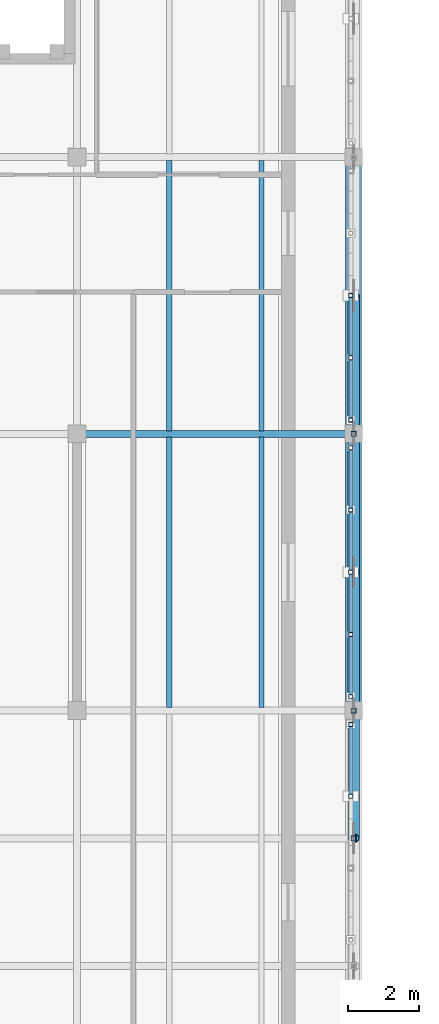
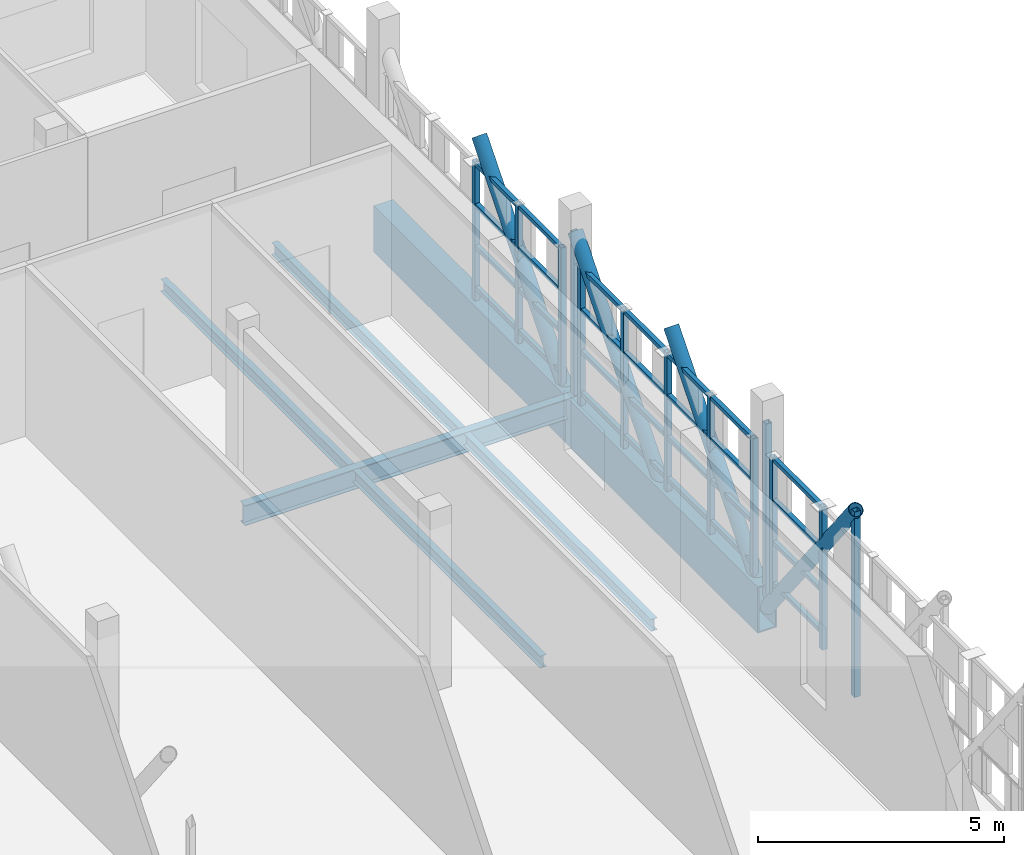
# One storey, part 30 of 89: 45 members, 7 beams.
"""IFC4 building model written with IfcOpenShell, lengths in metres."""

from ifc_helpers import new_model, si_unit, direction, frame, origin, origin_2d, place, context, subcontext, project, spatial, hollow_rectangle, hollow_circle, i_section, extrude, material, material_profile, profile_set, type_object, element, save


model = new_model("IFC4")

# Units and contexts
model_context = context("Model", 3, precision=1e-05, world=origin(), true_north=direction((0.0, 1.0)))
body_context = subcontext(model_context, "Body", "Model", "MODEL_VIEW")
ifc_project = project(units=[si_unit("LENGTHUNIT", "METRE"), si_unit("AREAUNIT", "SQUARE_METRE"), si_unit("VOLUMEUNIT", "CUBIC_METRE"), si_unit("PLANEANGLEUNIT", "RADIAN"), si_unit("MASSUNIT", "GRAM", prefix="KILO")], contexts=[model_context])

# Site, building, storey
site_placement = place(None, origin())
site = spatial("IfcSite", under=ifc_project, at=site_placement, CompositionType="ELEMENT")
building_placement = place(site_placement, origin())
building = spatial("IfcBuilding", under=site, at=building_placement, Name="Celorna Specialist Clinic", CompositionType="ELEMENT")
storey_placement = place(building_placement, frame((0.0, 0.0, 14.10009765625)))
storey = spatial("IfcBuildingStorey", under=building, at=storey_placement, Name="L03", CompositionType="ELEMENT", Elevation=14.10009765625)

# Beams
ifc_material = material(Name="Steel S355", Category="steel")
ifc_material_profile_1 = material_profile(ifc_material, hollow_rectangle(XDim=0.449951171875, YDim=1.14990234375, WallThickness=0.031982421875, at=origin_2d()), Name="BOX 450x1150x32")
ifc_profile_set_1 = profile_set([ifc_material_profile_1], Name="Steel S355")
beam_type_1 = type_object("IfcBeamType", Name="BM-01", PredefinedType="BEAM", material=ifc_profile_set_1)
for number, where, z_axis, x_axis, name in (
    (1, (85.800048828125, 19.5, -0.835205078125), (0.0, 1.0, 0.0), (-1.0, 0.0, 0.0), "Cantilever Pratt truss chord WP-071-WP-072"),
    (2, (85.800048828125, 27.300048828125, -0.835205078125), (0.0, 1.0, 0.0), (-1.0, 0.0, 0.0), "Cantilever Pratt truss chord WP-072-WP-073"),
):
    element("IfcBeam", number, at=place(storey_placement, frame(where, z_axis=z_axis, x_axis=x_axis)), inside=storey, type_object=beam_type_1, Name=name, PredefinedType="BEAM", context=body_context, shape_type="SweptSolid", body=[
        extrude(hollow_rectangle(XDim=0.449951171875, YDim=1.14990234375, WallThickness=0.031982421875, at=origin_2d()), origin(), (0.0, 0.0, 1.0), 7.800048828125),
    ])
ifc_material_profile_2 = material_profile(ifc_material, i_section(OverallWidth=0.199951171875, OverallDepth=0.5, WebThickness=0.01025390625, FlangeThickness=0.01611328125, at=origin_2d()), Name="IPE 500")
ifc_profile_set_2 = profile_set([ifc_material_profile_2], Name="Steel S355")
beam_type_2 = type_object("IfcBeamType", Name="BM-08", PredefinedType="BEAM", material=ifc_profile_set_2)
beam_placement = place(storey_placement, frame((78.0, 27.300048828125, -0.510009765625), z_axis=(1.0, 0.0, 0.0), x_axis=(0.0, 1.0, 0.0)))
element("IfcBeam", 3, at=beam_placement, inside=storey, type_object=beam_type_2, Name="Primary girder BM-08 #2165", PredefinedType="BEAM", context=body_context, shape_type="SweptSolid", body=[
    extrude(i_section(OverallWidth=0.199951171875, OverallDepth=0.5, WebThickness=0.01025390625, FlangeThickness=0.01611328125, at=origin_2d()), origin(), (0.0, 0.0, 1.0), 7.800048828125),
])
ifc_material_profile_3 = material_profile(ifc_material, i_section(OverallWidth=0.14990234375, OverallDepth=0.300048828125, WebThickness=0.007080078125, FlangeThickness=0.0107421875, at=origin_2d()), Name="IPE 300")
ifc_profile_set_3 = profile_set([ifc_material_profile_3], Name="Steel S355")
beam_type_3 = type_object("IfcBeamType", Name="BM-13", PredefinedType="JOIST", material=ifc_profile_set_3)
for number, where, z_axis, x_axis, name in (
    (4, (80.60009765625, 19.587890625, -0.41015625), (0.0, 1.0, 0.0), (-1.0, 0.0, 0.0), "Secondary floor joist BM-13 #2194"),
    (5, (83.199951171875, 19.587890625, -0.41015625), (0.0, 1.0, 0.0), (-1.0, 0.0, 0.0), "Secondary floor joist BM-13 #2195"),
    (6, (80.60009765625, 27.387939453125, -0.41015625), (0.0, 1.0, 0.0), (-1.0, 0.0, 0.0), "Secondary floor joist BM-13 #2196"),
    (7, (83.199951171875, 27.387939453125, -0.41015625), (0.0, 1.0, 0.0), (-1.0, 0.0, 0.0), "Secondary floor joist BM-13 #2197"),
):
    element("IfcBeam", number, at=place(storey_placement, frame(where, z_axis=z_axis, x_axis=x_axis)), inside=storey, type_object=beam_type_3, Name=name, PredefinedType="JOIST", context=body_context, shape_type="SweptSolid", body=[
        extrude(i_section(OverallWidth=0.14990234375, OverallDepth=0.300048828125, WebThickness=0.007080078125, FlangeThickness=0.0107421875, at=origin_2d()), origin(), (0.0, 0.0, 1.0), 7.6240234375),
    ])

# Members
ifc_material_profile_4 = material_profile(ifc_material, hollow_circle(Radius=0.161865234375, WallThickness=0.01611328125, at=origin_2d()), Name="CHS 323.9x16")
ifc_profile_set_4 = profile_set([ifc_material_profile_4], Name="Steel S355")
member_type_1 = type_object("IfcMemberType", Name="MB-05", PredefinedType="BRACE", material=ifc_profile_set_4)
member_1_placement = place(storey_placement, frame((85.800048828125, 15.89990234375, 3.764892578125), z_axis=(0.0, 0.616310515553, -0.787503237085), x_axis=(-1.0, 0.0, 0.0)))
element("IfcMember", 8, at=member_1_placement, inside=storey, type_object=member_type_1, Name="Cantilever Pratt truss web diagonal WP-094-WP-071", PredefinedType="BRACE", context=body_context, shape_type="SweptSolid", body=[
    extrude(hollow_circle(Radius=0.161865234375, WallThickness=0.01611328125, at=origin_2d()), origin(), (0.0, 0.0, 1.0), 5.84130859375),
])
member_2_placement = place(storey_placement, frame((85.800048828125, 19.5, -0.835205078125), z_axis=(0.0, 0.64666784298, 0.762771722638), x_axis=(-1.0, 0.0, 0.0)))
element("IfcMember", 9, at=member_2_placement, inside=storey, type_object=member_type_1, Name="Cantilever Pratt truss web diagonal WP-071-WP-095", PredefinedType="BRACE", context=body_context, shape_type="SweptSolid", body=[
    extrude(hollow_circle(Radius=0.161865234375, WallThickness=0.01611328125, at=origin_2d()), origin(), (0.0, 0.0, 1.0), 6.03076171875),
])
member_3_placement = place(storey_placement, frame((85.800048828125, 23.39990234375, -0.835205078125), z_axis=(0.0, 0.646691395625, 0.762751754389), x_axis=(-1.0, 0.0, 0.0)))
element("IfcMember", 10, at=member_3_placement, inside=storey, type_object=member_type_1, Name="Cantilever Pratt truss web diagonal WP-086-WP-077", PredefinedType="BRACE", context=body_context, shape_type="SweptSolid", body=[
    extrude(hollow_circle(Radius=0.161865234375, WallThickness=0.01611328125, at=origin_2d()), origin(), (0.0, 0.0, 1.0), 6.031005859375),
])
member_4_placement = place(storey_placement, frame((85.800048828125, 27.300048828125, -0.835205078125), z_axis=(0.0, 0.64666784298, 0.762771722638), x_axis=(-1.0, 0.0, 0.0)))
element("IfcMember", 11, at=member_4_placement, inside=storey, type_object=member_type_1, Name="Cantilever Pratt truss web diagonal WP-072-WP-096", PredefinedType="BRACE", context=body_context, shape_type="SweptSolid", body=[
    extrude(hollow_circle(Radius=0.161865234375, WallThickness=0.01611328125, at=origin_2d()), origin(), (0.0, 0.0, 1.0), 6.03076171875),
])
ifc_material_profile_5 = material_profile(ifc_material, hollow_rectangle(XDim=0.139892578125, YDim=0.139892578125, WallThickness=0.008056640625, at=origin_2d()), Name="SHS 140x140x8")
ifc_profile_set_5 = profile_set([ifc_material_profile_5], Name="Steel S355")
member_type_2 = type_object("IfcMemberType", Name="MB-10", PredefinedType="CHORD", material=ifc_profile_set_5)
for number, where, z_axis, x_axis, name in (
    (12, (85.800048828125, 15.89990234375, -0.835205078125), (0.0, 0.0, 1.0), (1.0, 0.0, 0.0), "Cantilever Pratt truss vertical post WP-085-WP-094"),
    (13, (85.800048828125, 19.5, -0.835205078125), (0.0, 0.0, 1.0), (1.0, 0.0, 0.0), "Cantilever Pratt truss vertical post WP-071-WP-076"),
    (14, (85.800048828125, 27.300048828125, -0.835205078125), (0.0, 0.0, 1.0), (1.0, 0.0, 0.0), "Cantilever Pratt truss vertical post WP-072-WP-077"),
):
    element("IfcMember", number, at=place(storey_placement, frame(where, z_axis=z_axis, x_axis=x_axis)), inside=storey, type_object=member_type_2, Name=name, PredefinedType="CHORD", context=body_context, shape_type="SweptSolid", body=[
        extrude(hollow_rectangle(XDim=0.139892578125, YDim=0.139892578125, WallThickness=0.008056640625, at=origin_2d()), origin(), (0.0, 0.0, 1.0), 4.60009765625),
    ])
ifc_material_profile_6 = material_profile(ifc_material, hollow_rectangle(XDim=0.1201171875, YDim=0.1201171875, WallThickness=0.008056640625, at=origin_2d()), Name="SHS 120x120x8")
ifc_profile_set_6 = profile_set([ifc_material_profile_6], Name="Steel S355")
member_type_3 = type_object("IfcMemberType", Name="MB-11", PredefinedType="STUD", material=ifc_profile_set_6)
for number, where, z_axis, x_axis, name in (
    (15, (85.719970703125, 17.0859375, -0.360107421875), (0.0, 0.0, 1.0), (1.0, 0.0, 0.0), "Perforated screen steel post #454"),
    (16, (85.719970703125, 19.110107421875, -0.360107421875), (0.0, 0.0, 1.0), (1.0, 0.0, 0.0), "Perforated screen steel post #455"),
    (17, (85.719970703125, 19.889892578125, -0.360107421875), (0.0, 0.0, 1.0), (1.0, 0.0, 0.0), "Perforated screen steel post #476"),
    (18, (85.719970703125, 21.64501953125, -0.360107421875), (0.0, 0.0, 1.0), (1.0, 0.0, 0.0), "Perforated screen steel post #477"),
    (19, (85.719970703125, 23.39990234375, -0.360107421875), (0.0, 0.0, 1.0), (1.0, 0.0, 0.0), "Perforated screen steel post #478"),
    (20, (85.719970703125, 25.155029296875, -0.360107421875), (0.0, 0.0, 1.0), (1.0, 0.0, 0.0), "Perforated screen steel post #479"),
    (21, (85.719970703125, 26.909912109375, -0.360107421875), (0.0, 0.0, 1.0), (1.0, 0.0, 0.0), "Perforated screen steel post #480"),
    (22, (85.719970703125, 27.68994140625, -0.360107421875), (0.0, 0.0, 1.0), (1.0, 0.0, 0.0), "Perforated screen steel post #497"),
    (23, (85.719970703125, 29.445068359375, -0.360107421875), (0.0, 0.0, 1.0), (1.0, 0.0, 0.0), "Perforated screen steel post #498"),
    (24, (85.719970703125, 31.199951171875, -0.360107421875), (0.0, 0.0, 1.0), (1.0, 0.0, 0.0), "Perforated screen steel post #499"),
):
    element("IfcMember", number, at=place(storey_placement, frame(where, z_axis=z_axis, x_axis=x_axis)), inside=storey, type_object=member_type_3, Name=name, PredefinedType="STUD", context=body_context, shape_type="SweptSolid", body=[
        extrude(hollow_rectangle(XDim=0.1201171875, YDim=0.1201171875, WallThickness=0.008056640625, at=origin_2d()), origin(), (0.0, 0.0, 1.0), 3.5400390625),
    ])
ifc_material_profile_7 = material_profile(ifc_material, hollow_rectangle(XDim=0.10009765625, YDim=0.10009765625, WallThickness=0.006103515625, at=origin_2d()), Name="SHS 100x100x6")
ifc_profile_set_7 = profile_set([ifc_material_profile_7], Name="Steel S355")
member_type_4 = type_object("IfcMemberType", Name="MB-12", PredefinedType="STUD", material=ifc_profile_set_7)
for number, where, z_axis, x_axis, name in (
    (25, (85.719970703125, 17.14599609375, 0.0498046875), (0.0, 1.0, 0.0), (-1.0, 0.0, 0.0), "Perforated screen rail #472"),
    (26, (85.719970703125, 17.14599609375, 1.07666015625), (0.0, 1.0, 0.0), (-1.0, 0.0, 0.0), "Perforated screen rail #473"),
    (27, (85.719970703125, 17.14599609375, 2.103271484375), (0.0, 1.0, 0.0), (-1.0, 0.0, 0.0), "Perforated screen rail #474"),
    (28, (85.719970703125, 17.14599609375, 3.1298828125), (0.0, 1.0, 0.0), (-1.0, 0.0, 0.0), "Perforated screen rail #475"),
):
    element("IfcMember", number, at=place(storey_placement, frame(where, z_axis=z_axis, x_axis=x_axis)), inside=storey, type_object=member_type_4, Name=name, PredefinedType="STUD", context=body_context, shape_type="SweptSolid", body=[
        extrude(hollow_rectangle(XDim=0.10009765625, YDim=0.10009765625, WallThickness=0.006103515625, at=origin_2d()), origin(), (0.0, 0.0, 1.0), 1.904052734375),
    ])
for number, where, z_axis, x_axis, name in (
    (29, (85.719970703125, 19.949951171875, 0.0498046875), (0.0, 1.0, 0.0), (-1.0, 0.0, 0.0), "Perforated screen rail #481"),
    (30, (85.719970703125, 19.949951171875, 1.07666015625), (0.0, 1.0, 0.0), (-1.0, 0.0, 0.0), "Perforated screen rail #482"),
    (31, (85.719970703125, 19.949951171875, 2.103271484375), (0.0, 1.0, 0.0), (-1.0, 0.0, 0.0), "Perforated screen rail #483"),
    (32, (85.719970703125, 19.949951171875, 3.1298828125), (0.0, 1.0, 0.0), (-1.0, 0.0, 0.0), "Perforated screen rail #484"),
    (33, (85.719970703125, 21.705078125, 0.0498046875), (0.0, 1.0, 0.0), (-1.0, 0.0, 0.0), "Perforated screen rail #485"),
    (34, (85.719970703125, 21.705078125, 1.07666015625), (0.0, 1.0, 0.0), (-1.0, 0.0, 0.0), "Perforated screen rail #486"),
    (35, (85.719970703125, 21.705078125, 2.103271484375), (0.0, 1.0, 0.0), (-1.0, 0.0, 0.0), "Perforated screen rail #487"),
    (36, (85.719970703125, 21.705078125, 3.1298828125), (0.0, 1.0, 0.0), (-1.0, 0.0, 0.0), "Perforated screen rail #488"),
    (37, (85.719970703125, 23.4599609375, 0.0498046875), (0.0, 1.0, 0.0), (-1.0, 0.0, 0.0), "Perforated screen rail #489"),
    (38, (85.719970703125, 23.4599609375, 1.07666015625), (0.0, 1.0, 0.0), (-1.0, 0.0, 0.0), "Perforated screen rail #490"),
    (39, (85.719970703125, 23.4599609375, 2.103271484375), (0.0, 1.0, 0.0), (-1.0, 0.0, 0.0), "Perforated screen rail #491"),
    (40, (85.719970703125, 23.4599609375, 3.1298828125), (0.0, 1.0, 0.0), (-1.0, 0.0, 0.0), "Perforated screen rail #492"),
    (41, (85.719970703125, 25.215087890625, 0.0498046875), (0.0, 1.0, 0.0), (-1.0, 0.0, 0.0), "Perforated screen rail #493"),
    (42, (85.719970703125, 25.215087890625, 1.07666015625), (0.0, 1.0, 0.0), (-1.0, 0.0, 0.0), "Perforated screen rail #494"),
    (43, (85.719970703125, 25.215087890625, 2.103271484375), (0.0, 1.0, 0.0), (-1.0, 0.0, 0.0), "Perforated screen rail #495"),
    (44, (85.719970703125, 25.215087890625, 3.1298828125), (0.0, 1.0, 0.0), (-1.0, 0.0, 0.0), "Perforated screen rail #496"),
    (45, (85.719970703125, 27.75, 0.0498046875), (0.0, 1.0, 0.0), (-1.0, 0.0, 0.0), "Perforated screen rail #502"),
    (46, (85.719970703125, 27.75, 1.07666015625), (0.0, 1.0, 0.0), (-1.0, 0.0, 0.0), "Perforated screen rail #503"),
    (47, (85.719970703125, 27.75, 2.103271484375), (0.0, 1.0, 0.0), (-1.0, 0.0, 0.0), "Perforated screen rail #504"),
    (48, (85.719970703125, 27.75, 3.1298828125), (0.0, 1.0, 0.0), (-1.0, 0.0, 0.0), "Perforated screen rail #505"),
    (49, (85.719970703125, 29.5048828125, 0.0498046875), (0.0, 1.0, 0.0), (-1.0, 0.0, 0.0), "Perforated screen rail #506"),
    (50, (85.719970703125, 29.5048828125, 1.07666015625), (0.0, 1.0, 0.0), (-1.0, 0.0, 0.0), "Perforated screen rail #507"),
    (51, (85.719970703125, 29.5048828125, 2.103271484375), (0.0, 1.0, 0.0), (-1.0, 0.0, 0.0), "Perforated screen rail #508"),
    (52, (85.719970703125, 29.5048828125, 3.1298828125), (0.0, 1.0, 0.0), (-1.0, 0.0, 0.0), "Perforated screen rail #509"),
):
    element("IfcMember", number, at=place(storey_placement, frame(where, z_axis=z_axis, x_axis=x_axis)), inside=storey, type_object=member_type_4, Name=name, PredefinedType="STUD", context=body_context, shape_type="SweptSolid", body=[
        extrude(hollow_rectangle(XDim=0.10009765625, YDim=0.10009765625, WallThickness=0.006103515625, at=origin_2d()), origin(), (0.0, 0.0, 1.0), 1.635009765625),
    ])

save(model, "model.ifc")
